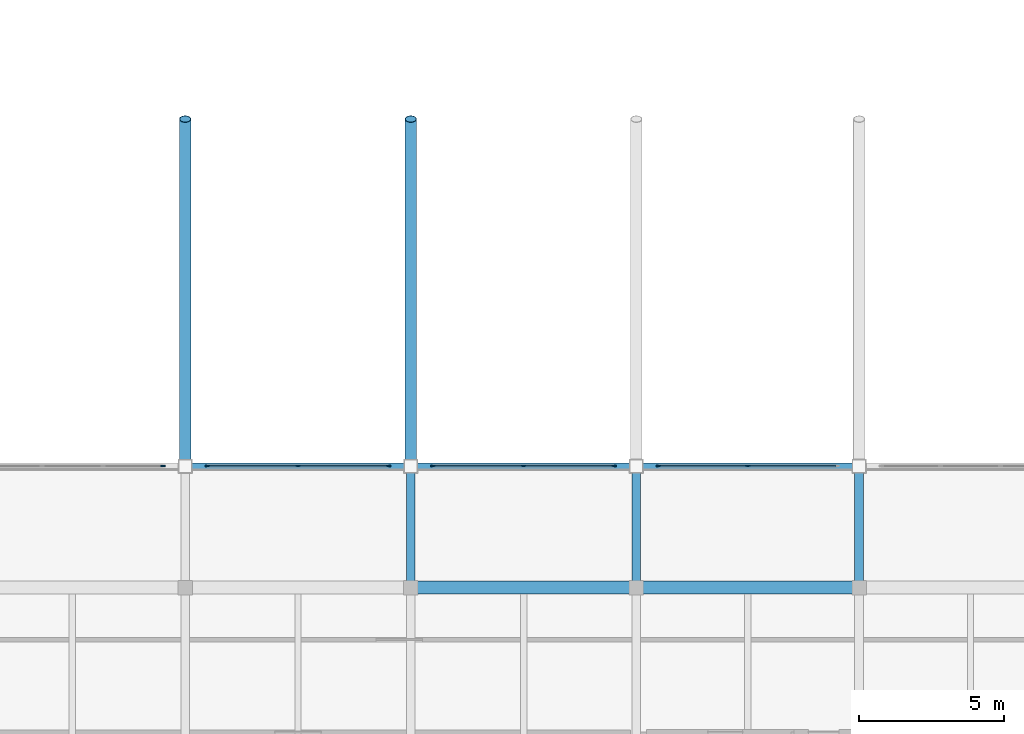
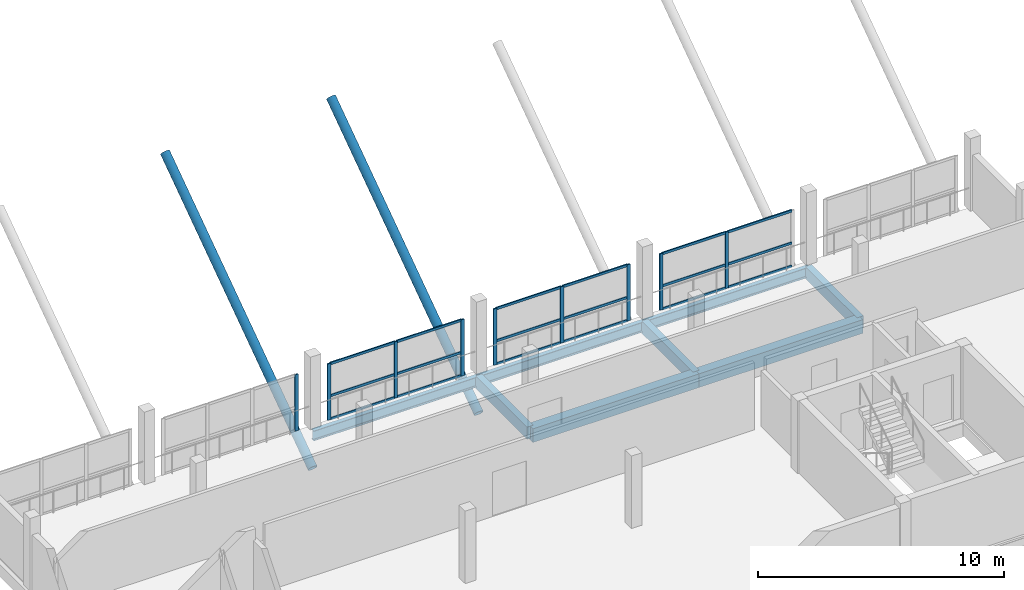
# One storey, part 28 of 51: 29 members, 8 beams, 4 elements without a shape of their own.
"""IFC4 building model written with IfcOpenShell, lengths in metres."""

from ifc_helpers import new_model, si_unit, direction, frame, origin, origin_2d, place, context, subcontext, project, spatial, rectangle, hollow_circle, i_section, extrude, material, material_profile, profile_set, type_object, element, aggregate, save


model = new_model("IFC4")

# Units and contexts
model_context = context("Model", 3, precision=1e-05, world=origin(), true_north=direction((0.0, 1.0)))
body_context = subcontext(model_context, "Body", "Model", "MODEL_VIEW")
ifc_project = project(units=[si_unit("LENGTHUNIT", "METRE"), si_unit("AREAUNIT", "SQUARE_METRE"), si_unit("VOLUMEUNIT", "CUBIC_METRE"), si_unit("PLANEANGLEUNIT", "RADIAN"), si_unit("MASSUNIT", "GRAM", prefix="KILO")], contexts=[model_context])

# Site, building, storey
site_placement = place(None, origin())
site = spatial("IfcSite", under=ifc_project, at=site_placement, CompositionType="ELEMENT")
building_placement = place(site_placement, origin())
building = spatial("IfcBuilding", under=site, at=building_placement, Name="Vharandega Faculty of Natural Sciences", CompositionType="ELEMENT")
storey_placement = place(building_placement, frame((0.0, 0.0, 14.39990234375)))
storey = spatial("IfcBuildingStorey", under=building, at=storey_placement, Name="L03", CompositionType="ELEMENT", Elevation=14.39990234375)

# Curtain wall, member
ifc_material_1 = material(Name="Aluminium and solar-control glass curtain wall", Category="aluminium")
curtain_wall_type_1 = type_object("IfcCurtainWallType", Name="Unitised Curtain Wall System CW-16", PredefinedType="NOTDEFINED", material=ifc_material_1)
curtain_wall_1_placement = place(storey_placement, origin())
curtain_wall_1 = element("IfcCurtainWall", 1, at=curtain_wall_1_placement, inside=storey, type_object=curtain_wall_type_1, Name="Curtain Wall CW-L03-015", PredefinedType="NOTDEFINED")
ifc_material_2 = material(Name="Thermally broken aluminium 6063-T6", Category="aluminium")
ifc_material_profile_1 = material_profile(ifc_material_2, rectangle(XDim=0.06005859375, YDim=0.159912109375, at=origin_2d()), Name="ALU 60x160")
ifc_profile_set_1 = profile_set([ifc_material_profile_1], Name="Thermally broken aluminium 6063-T6")
member_type_1 = type_object("IfcMemberType", Name="CW Mullion 60x160", PredefinedType="MULLION", material=ifc_profile_set_1)
member_1_placement = place(storey_placement, frame((129.6298828125, 85.0, 0.0), z_axis=(0.0, 0.0, 1.0), x_axis=(0.0, 1.0, 0.0)))
member_1 = element("IfcMember", 2, at=member_1_placement, type_object=member_type_1, Name="CW-16 mullion 4", PredefinedType="MULLION", context=body_context, shape_type="SweptSolid", body=[
    extrude(rectangle(XDim=0.06005859375, YDim=0.159912109375, at=origin_2d()), origin(), (0.0, 0.0, 1.0), 2.800048828125),
])
aggregate(curtain_wall_1, [member_1])

# Curtain wall, members
ifc_material_3 = material(Name="Aluminium and solar-control glass curtain wall", Category="aluminium")
curtain_wall_type_2 = type_object("IfcCurtainWallType", Name="Unitised Curtain Wall System CW-17", PredefinedType="NOTDEFINED", material=ifc_material_3)
curtain_wall_2_placement = place(storey_placement, origin())
curtain_wall_2 = element("IfcCurtainWall", 3, at=curtain_wall_2_placement, inside=storey, type_object=curtain_wall_type_2, Name="Curtain Wall CW-L03-016", PredefinedType="NOTDEFINED")
member_2_placement = place(storey_placement, frame((131.169921875, 85.0, 0.0), z_axis=(0.0, 0.0, 1.0), x_axis=(0.0, 1.0, 0.0)))
member_2 = element("IfcMember", 4, at=member_2_placement, type_object=member_type_1, Name="CW-17 mullion 1", PredefinedType="MULLION", context=body_context, shape_type="SweptSolid", body=[
    extrude(rectangle(XDim=0.06005859375, YDim=0.159912109375, at=origin_2d()), origin(), (0.0, 0.0, 1.0), 2.800048828125),
])
member_3_placement = place(storey_placement, frame((134.300048828125, 85.0, 0.0), z_axis=(0.0, 0.0, 1.0), x_axis=(0.0, 1.0, 0.0)))
member_3 = element("IfcMember", 5, at=member_3_placement, type_object=member_type_1, Name="CW-17 mullion 2", PredefinedType="MULLION", context=body_context, shape_type="SweptSolid", body=[
    extrude(rectangle(XDim=0.06005859375, YDim=0.159912109375, at=origin_2d()), origin(), (0.0, 0.0, 1.0), 2.800048828125),
])
member_4_placement = place(storey_placement, frame((137.429931640625, 85.0, 0.0), z_axis=(0.0, 0.0, 1.0), x_axis=(0.0, 1.0, 0.0)))
member_4 = element("IfcMember", 6, at=member_4_placement, type_object=member_type_1, Name="CW-17 mullion 3", PredefinedType="MULLION", context=body_context, shape_type="SweptSolid", body=[
    extrude(rectangle(XDim=0.06005859375, YDim=0.159912109375, at=origin_2d()), origin(), (0.0, 0.0, 1.0), 2.800048828125),
])

ifc_material_4 = material(Name="Aluminium and solar-control glass curtain wall", Category="aluminium")
curtain_wall_type_3 = type_object("IfcCurtainWallType", Name="Unitised Curtain Wall System CW-18", PredefinedType="NOTDEFINED", material=ifc_material_4)
curtain_wall_3_placement = place(storey_placement, origin())
curtain_wall_3 = element("IfcCurtainWall", 7, at=curtain_wall_3_placement, inside=storey, type_object=curtain_wall_type_3, Name="Curtain Wall CW-L03-017", PredefinedType="NOTDEFINED")
member_5_placement = place(storey_placement, frame((138.969970703125, 85.0, 0.0), z_axis=(0.0, 0.0, 1.0), x_axis=(0.0, 1.0, 0.0)))
member_5 = element("IfcMember", 8, at=member_5_placement, type_object=member_type_1, Name="CW-18 mullion 1", PredefinedType="MULLION", context=body_context, shape_type="SweptSolid", body=[
    extrude(rectangle(XDim=0.06005859375, YDim=0.159912109375, at=origin_2d()), origin(), (0.0, 0.0, 1.0), 2.800048828125),
])
member_6_placement = place(storey_placement, frame((142.10009765625, 85.0, 0.0), z_axis=(0.0, 0.0, 1.0), x_axis=(0.0, 1.0, 0.0)))
member_6 = element("IfcMember", 9, at=member_6_placement, type_object=member_type_1, Name="CW-18 mullion 2", PredefinedType="MULLION", context=body_context, shape_type="SweptSolid", body=[
    extrude(rectangle(XDim=0.06005859375, YDim=0.159912109375, at=origin_2d()), origin(), (0.0, 0.0, 1.0), 2.800048828125),
])
member_7_placement = place(storey_placement, frame((145.22998046875, 85.0, 0.0), z_axis=(0.0, 0.0, 1.0), x_axis=(0.0, 1.0, 0.0)))
member_7 = element("IfcMember", 10, at=member_7_placement, type_object=member_type_1, Name="CW-18 mullion 3", PredefinedType="MULLION", context=body_context, shape_type="SweptSolid", body=[
    extrude(rectangle(XDim=0.06005859375, YDim=0.159912109375, at=origin_2d()), origin(), (0.0, 0.0, 1.0), 2.800048828125),
])

ifc_material_5 = material(Name="Aluminium and solar-control glass curtain wall", Category="aluminium")
curtain_wall_type_4 = type_object("IfcCurtainWallType", Name="Unitised Curtain Wall System CW-19", PredefinedType="NOTDEFINED", material=ifc_material_5)
curtain_wall_4_placement = place(storey_placement, origin())
curtain_wall_4 = element("IfcCurtainWall", 11, at=curtain_wall_4_placement, inside=storey, type_object=curtain_wall_type_4, Name="Curtain Wall CW-L03-018", PredefinedType="NOTDEFINED")
member_8_placement = place(storey_placement, frame((146.77001953125, 85.0, 0.0), z_axis=(0.0, 0.0, 1.0), x_axis=(0.0, 1.0, 0.0)))
member_8 = element("IfcMember", 12, at=member_8_placement, type_object=member_type_1, Name="CW-19 mullion 1", PredefinedType="MULLION", context=body_context, shape_type="SweptSolid", body=[
    extrude(rectangle(XDim=0.06005859375, YDim=0.159912109375, at=origin_2d()), origin(), (0.0, 0.0, 1.0), 2.800048828125),
])
member_9_placement = place(storey_placement, frame((149.85009765625, 85.0, 0.0), z_axis=(0.0, 0.0, 1.0), x_axis=(0.0, 1.0, 0.0)))
member_9 = element("IfcMember", 13, at=member_9_placement, type_object=member_type_1, Name="CW-19 mullion 2", PredefinedType="MULLION", context=body_context, shape_type="SweptSolid", body=[
    extrude(rectangle(XDim=0.06005859375, YDim=0.159912109375, at=origin_2d()), origin(), (0.0, 0.0, 1.0), 2.800048828125),
])

# Member
ifc_material_6 = material(Name="Thermally broken aluminium 6063-T6", Category="aluminium")
ifc_material_profile_2 = material_profile(ifc_material_6, rectangle(XDim=0.06005859375, YDim=0.1201171875, at=origin_2d()), Name="ALU 60x120")
ifc_profile_set_2 = profile_set([ifc_material_profile_2], Name="Thermally broken aluminium 6063-T6")
member_type_2 = type_object("IfcMemberType", Name="CW Transom 60x120", PredefinedType="USERDEFINED", material=ifc_profile_set_2)
member_10_placement = place(storey_placement, frame((131.199951171875, 85.0, 0.030029296875), z_axis=(1.0, 0.0, 0.0), x_axis=(0.0, 1.0, 0.0)))
member_10 = element("IfcMember", 14, at=member_10_placement, type_object=member_type_2, Name="CW-17 transom 1.1", ObjectType="TRANSOM", PredefinedType="USERDEFINED", context=body_context, shape_type="SweptSolid", body=[
    extrude(rectangle(XDim=0.06005859375, YDim=0.1201171875, at=origin_2d()), origin(), (0.0, 0.0, 1.0), 3.070068359375),
])

member_11_placement = place(storey_placement, frame((131.199951171875, 85.0, 1.176025390625), z_axis=(1.0, 0.0, 0.0), x_axis=(0.0, 1.0, 0.0)))
member_11 = element("IfcMember", 15, at=member_11_placement, type_object=member_type_2, Name="CW-17 transom 1.2", ObjectType="TRANSOM", PredefinedType="USERDEFINED", context=body_context, shape_type="SweptSolid", body=[
    extrude(rectangle(XDim=0.06005859375, YDim=0.1201171875, at=origin_2d()), origin(), (0.0, 0.0, 1.0), 3.070068359375),
])

member_12_placement = place(storey_placement, frame((131.199951171875, 85.0, 2.77001953125), z_axis=(1.0, 0.0, 0.0), x_axis=(0.0, 1.0, 0.0)))
member_12 = element("IfcMember", 16, at=member_12_placement, type_object=member_type_2, Name="CW-17 transom 1.3", ObjectType="TRANSOM", PredefinedType="USERDEFINED", context=body_context, shape_type="SweptSolid", body=[
    extrude(rectangle(XDim=0.06005859375, YDim=0.1201171875, at=origin_2d()), origin(), (0.0, 0.0, 1.0), 3.070068359375),
])

member_13_placement = place(storey_placement, frame((134.330078125, 85.0, 0.030029296875), z_axis=(1.0, 0.0, 0.0), x_axis=(0.0, 1.0, 0.0)))
member_13 = element("IfcMember", 17, at=member_13_placement, type_object=member_type_2, Name="CW-17 transom 2.1", ObjectType="TRANSOM", PredefinedType="USERDEFINED", context=body_context, shape_type="SweptSolid", body=[
    extrude(rectangle(XDim=0.06005859375, YDim=0.1201171875, at=origin_2d()), origin(), (0.0, 0.0, 1.0), 3.06982421875),
])

member_14_placement = place(storey_placement, frame((134.330078125, 85.0, 1.176025390625), z_axis=(1.0, 0.0, 0.0), x_axis=(0.0, 1.0, 0.0)))
member_14 = element("IfcMember", 18, at=member_14_placement, type_object=member_type_2, Name="CW-17 transom 2.2", ObjectType="TRANSOM", PredefinedType="USERDEFINED", context=body_context, shape_type="SweptSolid", body=[
    extrude(rectangle(XDim=0.06005859375, YDim=0.1201171875, at=origin_2d()), origin(), (0.0, 0.0, 1.0), 3.06982421875),
])

member_15_placement = place(storey_placement, frame((134.330078125, 85.0, 2.77001953125), z_axis=(1.0, 0.0, 0.0), x_axis=(0.0, 1.0, 0.0)))
member_15 = element("IfcMember", 19, at=member_15_placement, type_object=member_type_2, Name="CW-17 transom 2.3", ObjectType="TRANSOM", PredefinedType="USERDEFINED", context=body_context, shape_type="SweptSolid", body=[
    extrude(rectangle(XDim=0.06005859375, YDim=0.1201171875, at=origin_2d()), origin(), (0.0, 0.0, 1.0), 3.06982421875),
])

aggregate(curtain_wall_2, [member_2, member_3, member_4, member_10, member_11, member_12, member_13, member_14, member_15])

member_16_placement = place(storey_placement, frame((139.0, 85.0, 0.030029296875), z_axis=(1.0, 0.0, 0.0), x_axis=(0.0, 1.0, 0.0)))
member_16 = element("IfcMember", 20, at=member_16_placement, type_object=member_type_2, Name="CW-18 transom 1.1", ObjectType="TRANSOM", PredefinedType="USERDEFINED", context=body_context, shape_type="SweptSolid", body=[
    extrude(rectangle(XDim=0.06005859375, YDim=0.1201171875, at=origin_2d()), origin(), (0.0, 0.0, 1.0), 3.070068359375),
])

member_17_placement = place(storey_placement, frame((139.0, 85.0, 1.176025390625), z_axis=(1.0, 0.0, 0.0), x_axis=(0.0, 1.0, 0.0)))
member_17 = element("IfcMember", 21, at=member_17_placement, type_object=member_type_2, Name="CW-18 transom 1.2", ObjectType="TRANSOM", PredefinedType="USERDEFINED", context=body_context, shape_type="SweptSolid", body=[
    extrude(rectangle(XDim=0.06005859375, YDim=0.1201171875, at=origin_2d()), origin(), (0.0, 0.0, 1.0), 3.070068359375),
])

member_18_placement = place(storey_placement, frame((139.0, 85.0, 2.77001953125), z_axis=(1.0, 0.0, 0.0), x_axis=(0.0, 1.0, 0.0)))
member_18 = element("IfcMember", 22, at=member_18_placement, type_object=member_type_2, Name="CW-18 transom 1.3", ObjectType="TRANSOM", PredefinedType="USERDEFINED", context=body_context, shape_type="SweptSolid", body=[
    extrude(rectangle(XDim=0.06005859375, YDim=0.1201171875, at=origin_2d()), origin(), (0.0, 0.0, 1.0), 3.070068359375),
])

member_19_placement = place(storey_placement, frame((142.1298828125, 85.0, 0.030029296875), z_axis=(1.0, 0.0, 0.0), x_axis=(0.0, 1.0, 0.0)))
member_19 = element("IfcMember", 23, at=member_19_placement, type_object=member_type_2, Name="CW-18 transom 2.1", ObjectType="TRANSOM", PredefinedType="USERDEFINED", context=body_context, shape_type="SweptSolid", body=[
    extrude(rectangle(XDim=0.06005859375, YDim=0.1201171875, at=origin_2d()), origin(), (0.0, 0.0, 1.0), 3.070068359375),
])

member_20_placement = place(storey_placement, frame((142.1298828125, 85.0, 1.176025390625), z_axis=(1.0, 0.0, 0.0), x_axis=(0.0, 1.0, 0.0)))
member_20 = element("IfcMember", 24, at=member_20_placement, type_object=member_type_2, Name="CW-18 transom 2.2", ObjectType="TRANSOM", PredefinedType="USERDEFINED", context=body_context, shape_type="SweptSolid", body=[
    extrude(rectangle(XDim=0.06005859375, YDim=0.1201171875, at=origin_2d()), origin(), (0.0, 0.0, 1.0), 3.070068359375),
])

member_21_placement = place(storey_placement, frame((142.1298828125, 85.0, 2.77001953125), z_axis=(1.0, 0.0, 0.0), x_axis=(0.0, 1.0, 0.0)))
member_21 = element("IfcMember", 25, at=member_21_placement, type_object=member_type_2, Name="CW-18 transom 2.3", ObjectType="TRANSOM", PredefinedType="USERDEFINED", context=body_context, shape_type="SweptSolid", body=[
    extrude(rectangle(XDim=0.06005859375, YDim=0.1201171875, at=origin_2d()), origin(), (0.0, 0.0, 1.0), 3.070068359375),
])

aggregate(curtain_wall_3, [member_5, member_6, member_7, member_16, member_17, member_18, member_19, member_20, member_21])

member_22_placement = place(storey_placement, frame((146.800048828125, 85.0, 0.030029296875), z_axis=(1.0, 0.0, 0.0), x_axis=(0.0, 1.0, 0.0)))
member_22 = element("IfcMember", 26, at=member_22_placement, type_object=member_type_2, Name="CW-19 transom 1.1", ObjectType="TRANSOM", PredefinedType="USERDEFINED", context=body_context, shape_type="SweptSolid", body=[
    extrude(rectangle(XDim=0.06005859375, YDim=0.1201171875, at=origin_2d()), origin(), (0.0, 0.0, 1.0), 3.02001953125),
])

member_23_placement = place(storey_placement, frame((146.800048828125, 85.0, 1.176025390625), z_axis=(1.0, 0.0, 0.0), x_axis=(0.0, 1.0, 0.0)))
member_23 = element("IfcMember", 27, at=member_23_placement, type_object=member_type_2, Name="CW-19 transom 1.2", ObjectType="TRANSOM", PredefinedType="USERDEFINED", context=body_context, shape_type="SweptSolid", body=[
    extrude(rectangle(XDim=0.06005859375, YDim=0.1201171875, at=origin_2d()), origin(), (0.0, 0.0, 1.0), 3.02001953125),
])

member_24_placement = place(storey_placement, frame((146.800048828125, 85.0, 2.77001953125), z_axis=(1.0, 0.0, 0.0), x_axis=(0.0, 1.0, 0.0)))
member_24 = element("IfcMember", 28, at=member_24_placement, type_object=member_type_2, Name="CW-19 transom 1.3", ObjectType="TRANSOM", PredefinedType="USERDEFINED", context=body_context, shape_type="SweptSolid", body=[
    extrude(rectangle(XDim=0.06005859375, YDim=0.1201171875, at=origin_2d()), origin(), (0.0, 0.0, 1.0), 3.02001953125),
])

member_25_placement = place(storey_placement, frame((149.8798828125, 85.0, 0.030029296875), z_axis=(1.0, 0.0, 0.0), x_axis=(0.0, 1.0, 0.0)))
member_25 = element("IfcMember", 29, at=member_25_placement, type_object=member_type_2, Name="CW-19 transom 2.1", ObjectType="TRANSOM", PredefinedType="USERDEFINED", context=body_context, shape_type="SweptSolid", body=[
    extrude(rectangle(XDim=0.06005859375, YDim=0.1201171875, at=origin_2d()), origin(), (0.0, 0.0, 1.0), 3.02001953125),
])

member_26_placement = place(storey_placement, frame((149.8798828125, 85.0, 1.176025390625), z_axis=(1.0, 0.0, 0.0), x_axis=(0.0, 1.0, 0.0)))
member_26 = element("IfcMember", 30, at=member_26_placement, type_object=member_type_2, Name="CW-19 transom 2.2", ObjectType="TRANSOM", PredefinedType="USERDEFINED", context=body_context, shape_type="SweptSolid", body=[
    extrude(rectangle(XDim=0.06005859375, YDim=0.1201171875, at=origin_2d()), origin(), (0.0, 0.0, 1.0), 3.02001953125),
])

member_27_placement = place(storey_placement, frame((149.8798828125, 85.0, 2.77001953125), z_axis=(1.0, 0.0, 0.0), x_axis=(0.0, 1.0, 0.0)))
member_27 = element("IfcMember", 31, at=member_27_placement, type_object=member_type_2, Name="CW-19 transom 2.3", ObjectType="TRANSOM", PredefinedType="USERDEFINED", context=body_context, shape_type="SweptSolid", body=[
    extrude(rectangle(XDim=0.06005859375, YDim=0.1201171875, at=origin_2d()), origin(), (0.0, 0.0, 1.0), 3.02001953125),
])

aggregate(curtain_wall_4, [member_8, member_9, member_22, member_23, member_24, member_25, member_26, member_27])

# Beams
ifc_material_7 = material(Name="Glulam GL28h", Category="wood")
ifc_material_profile_3 = material_profile(ifc_material_7, rectangle(XDim=0.300048828125, YDim=0.60009765625, at=origin_2d()), Name="GL28h 300x600")
ifc_profile_set_3 = profile_set([ifc_material_profile_3], Name="Glulam GL28h")
beam_type_1 = type_object("IfcBeamType", Name="Glulam Floor Beam 300x600", PredefinedType="BEAM", material=ifc_profile_set_3)
for number, where, z_axis, x_axis, name in (
    (32, (138.199951171875, 80.800048828125, -0.539794921875), (0.0, 1.0, 0.0), (-1.0, 0.0, 0.0), "Beam L03 18/L-M"),
    (33, (146.0, 80.800048828125, -0.539794921875), (0.0, 1.0, 0.0), (-1.0, 0.0, 0.0), "Beam L03 19/L-M"),
    (34, (153.699951171875, 80.800048828125, -0.539794921875), (0.0, 1.0, 0.0), (-1.0, 0.0, 0.0), "Beam L03 20/L-M"),
):
    element("IfcBeam", number, at=place(storey_placement, frame(where, z_axis=z_axis, x_axis=x_axis)), inside=storey, type_object=beam_type_1, Name=name, PredefinedType="BEAM", context=body_context, shape_type="SweptSolid", body=[
        extrude(rectangle(XDim=0.300048828125, YDim=0.60009765625, at=origin_2d()), origin(), (0.0, 0.0, 1.0), 4.199951171875),
    ])
ifc_material_8 = material(Name="Glulam GL32h", Category="wood")
ifc_material_profile_4 = material_profile(ifc_material_8, rectangle(XDim=0.43994140625, YDim=0.679931640625, at=origin_2d()), Name="GL32h 440x680")
ifc_profile_set_4 = profile_set([ifc_material_profile_4], Name="Glulam GL32h")
beam_type_2 = type_object("IfcBeamType", Name="Glulam Girder 440x680", PredefinedType="BEAM", material=ifc_profile_set_4)
beam_1_placement = place(storey_placement, frame((138.199951171875, 80.800048828125, -0.579833984375), z_axis=(1.0, 0.0, 0.0), x_axis=(0.0, 1.0, 0.0)))
element("IfcBeam", 35, at=beam_1_placement, inside=storey, type_object=beam_type_2, Name="Beam L03 L/18-19", PredefinedType="BEAM", context=body_context, shape_type="SweptSolid", body=[
    extrude(rectangle(XDim=0.43994140625, YDim=0.679931640625, at=origin_2d()), origin(), (0.0, 0.0, 1.0), 7.800048828125),
])
beam_2_placement = place(storey_placement, frame((146.0, 80.800048828125, -0.579833984375), z_axis=(1.0, 0.0, 0.0), x_axis=(0.0, 1.0, 0.0)))
element("IfcBeam", 36, at=beam_2_placement, inside=storey, type_object=beam_type_2, Name="Beam L03 L/19-20", PredefinedType="BEAM", context=body_context, shape_type="SweptSolid", body=[
    extrude(rectangle(XDim=0.43994140625, YDim=0.679931640625, at=origin_2d()), origin(), (0.0, 0.0, 1.0), 7.699951171875),
])

# Members
ifc_material_9 = material(Name="Steel S355", Category="steel")
ifc_material_profile_5 = material_profile(ifc_material_9, hollow_circle(Radius=0.203125, WallThickness=0.02001953125, at=origin_2d()), Name="CHS 406.4x20")
ifc_profile_set_5 = profile_set([ifc_material_profile_5], Name="Steel S355")
member_type_3 = type_object("IfcMemberType", Name="Raked Cantilever V-Strut CHS 406", PredefinedType="STRUT", material=ifc_profile_set_5)
for number, where, z_axis, x_axis, name in (
    (37, (130.39990234375, 85.0, -2.139892578125), (0.0, 0.819235052632, 0.57345786989), (-1.0, 0.0, 0.0), "Cantilever Raked Strut Grid 17"),
    (38, (138.199951171875, 85.0, -2.139892578125), (0.0, 0.819235052632, 0.57345786989), (-1.0, 0.0, 0.0), "Cantilever Raked Strut Grid 18"),
):
    element("IfcMember", number, at=place(storey_placement, frame(where, z_axis=z_axis, x_axis=x_axis)), inside=storey, type_object=member_type_3, Name=name, PredefinedType="STRUT", context=body_context, shape_type="SweptSolid", body=[
        extrude(hollow_circle(Radius=0.203125, WallThickness=0.02001953125, at=origin_2d()), origin(), (0.0, 0.0, 1.0), 14.647705078125),
    ])

# Beams
ifc_material_10 = material(Name="Steel S355", Category="steel")
ifc_material_profile_6 = material_profile(ifc_material_10, i_section(OverallWidth=0.199951171875, OverallDepth=0.5, WebThickness=0.01025390625, FlangeThickness=0.01611328125, FilletRadius=0.02099609375, at=origin_2d()), Name="IPE 500")
ifc_profile_set_6 = profile_set([ifc_material_profile_6], Name="Steel S355")
beam_type_3 = type_object("IfcBeamType", Name="Steel Spandrel Beam IPE 500", PredefinedType="SPANDREL", material=ifc_profile_set_6)
for number, where, z_axis, x_axis, name in (
    (39, (130.39990234375, 85.0, -0.489990234375), (1.0, 0.0, 0.0), (0.0, 1.0, 0.0), "Beam L03 M/17-18"),
    (40, (138.199951171875, 85.0, -0.489990234375), (1.0, 0.0, 0.0), (0.0, 1.0, 0.0), "Beam L03 M/18-19"),
):
    element("IfcBeam", number, at=place(storey_placement, frame(where, z_axis=z_axis, x_axis=x_axis)), inside=storey, type_object=beam_type_3, Name=name, PredefinedType="SPANDREL", context=body_context, shape_type="SweptSolid", body=[
        extrude(i_section(OverallWidth=0.199951171875, OverallDepth=0.5, WebThickness=0.01025390625, FlangeThickness=0.01611328125, FilletRadius=0.02099609375, at=origin_2d()), origin(), (0.0, 0.0, 1.0), 7.800048828125),
    ])
beam_3_placement = place(storey_placement, frame((146.0, 85.0, -0.489990234375), z_axis=(1.0, 0.0, 0.0), x_axis=(0.0, 1.0, 0.0)))
element("IfcBeam", 41, at=beam_3_placement, inside=storey, type_object=beam_type_3, Name="Beam L03 M/19-20", PredefinedType="SPANDREL", context=body_context, shape_type="SweptSolid", body=[
    extrude(i_section(OverallWidth=0.199951171875, OverallDepth=0.5, WebThickness=0.01025390625, FlangeThickness=0.01611328125, FilletRadius=0.02099609375, at=origin_2d()), origin(), (0.0, 0.0, 1.0), 7.699951171875),
])

save(model, "model.ifc")
